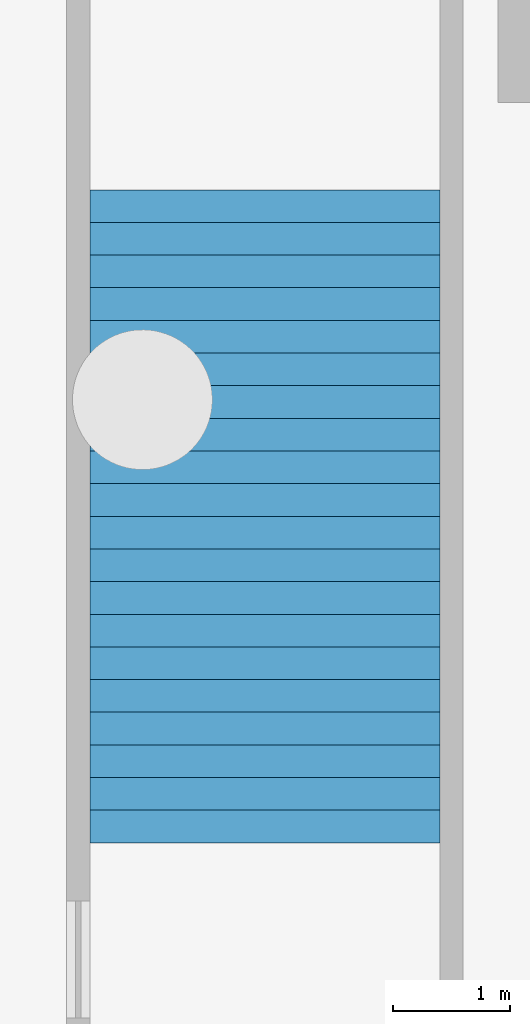
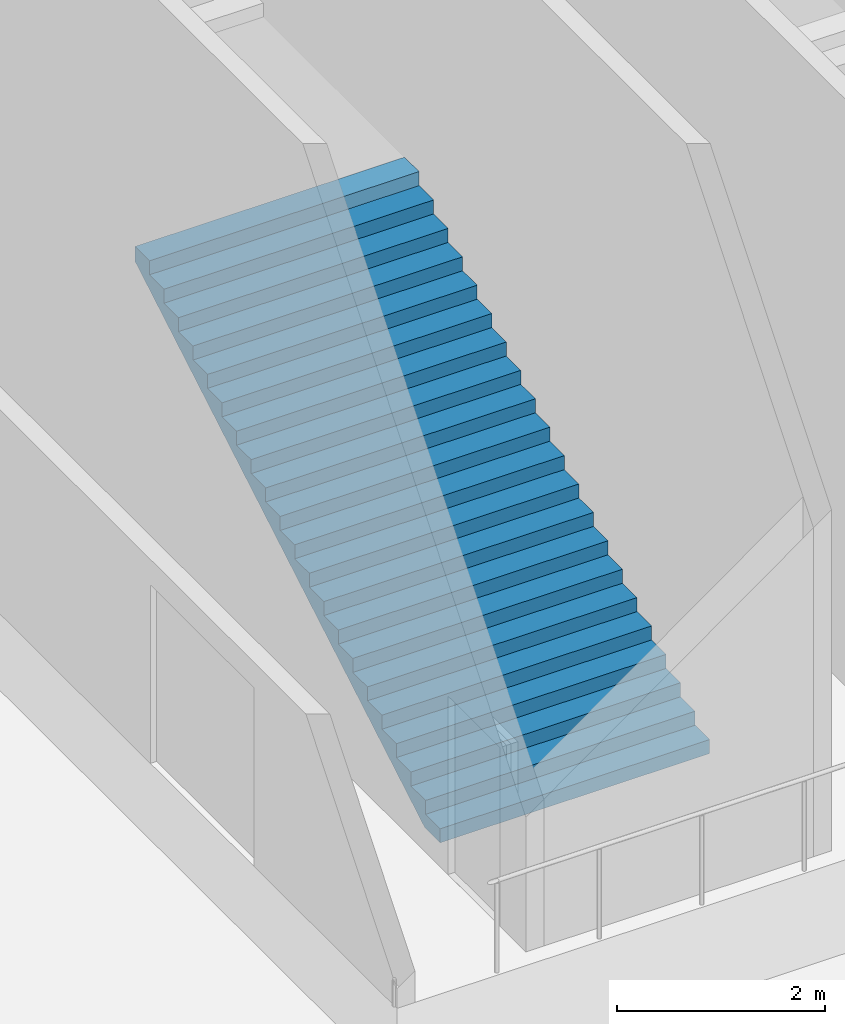
# One storey, part 7 of 16: 1 stair flight, 1 element without a shape of its own.
"""IFC4 building model written with IfcOpenShell, lengths in metres."""

import ifcopenshell
import ifcopenshell.guid

model = None  # the IFC model being written
_history = None  # IfcOwnerHistory: only IFC2X3 demands one
_inside = {}  # id of a spatial element -> (the spatial element, [elements in it])
_under = {}  # id of a project, library or spatial element -> (it, [spatial elements below it])
_declared = {}  # id of a project -> (the project, [libraries it declares])
_typed = {}  # id of a type object -> (the type object, [elements of that type])
_made_of = {}  # id of a material, layer set ... -> (it, [elements and type objects made of it])


def new_model(schema):
    """Start an empty IFC model of exactly this schema.

    Asked for "IFC4X3", IfcOpenShell would pick the latest addendum, in which some entities
    have other attributes; the version numbers below select the first issue.
    IFC2X3 requires an IfcOwnerHistory on every rooted entity: one is made here for all.
    """
    global model, _history
    if schema == "IFC4X3":
        model = ifcopenshell.file(schema_version=(4, 3, 0, 0))
    else:
        model = ifcopenshell.file(schema=schema)
    _inside.clear()
    _under.clear()
    _declared.clear()
    _typed.clear()
    _made_of.clear()
    _history = None
    if model.schema == "IFC2X3":
        org = make("IfcOrganization", Name="unknown")
        user = make(
            "IfcPersonAndOrganization",
            ThePerson=make("IfcPerson", FamilyName="unknown"),
            TheOrganization=org,
        )
        app = make(
            "IfcApplication",
            ApplicationDeveloper=org,
            Version="unknown",
            ApplicationFullName="unknown",
            ApplicationIdentifier="unknown",
        )
        _history = make(
            "IfcOwnerHistory",
            OwningUser=user,
            OwningApplication=app,
            ChangeAction="ADDED",
            CreationDate=0,
        )
    return model


def make(cls, **values):
    """One entity of the class cls with the attributes given. An attribute that is None is left unset."""
    return model.create_entity(
        cls, **{name: value for name, value in values.items() if value is not None}
    )


def rooted(cls, **values):
    """An entity with a GlobalId (a new one), such as an element, a storey or a relation."""
    return make(cls, GlobalId=ifcopenshell.guid.new(), OwnerHistory=_history, **values)


def si_unit(unit_type, name, prefix=None):
    """IfcSIUnit, for example si_unit("LENGTHUNIT", "METRE", prefix="MILLI")."""
    return make("IfcSIUnit", UnitType=unit_type, Prefix=prefix, Name=name)


def assignment(units):
    """IfcUnitAssignment: the units of a project."""
    return None if units is None else make("IfcUnitAssignment", Units=units)


def point(xyz):
    """IfcCartesianPoint."""
    return None if xyz is None else make("IfcCartesianPoint", Coordinates=xyz)


def direction(xyz):
    """IfcDirection."""
    return None if xyz is None else make("IfcDirection", DirectionRatios=xyz)


def frame(location, z_axis=None, x_axis=None):
    """IfcAxis2Placement3D, a coordinate frame: its origin and axes. An axis left out is left unset."""
    return make(
        "IfcAxis2Placement3D",
        Location=point(location),
        Axis=direction(z_axis),
        RefDirection=direction(x_axis),
    )


def origin():
    """The frame at (0, 0, 0) with its axes left unset."""
    return frame((0.0, 0.0, 0.0))


def place(relative_to, where):
    """IfcLocalPlacement: puts the frame where relative to a parent placement (None: the world)."""
    return make(
        "IfcLocalPlacement", PlacementRelTo=relative_to, RelativePlacement=where
    )


def context(
    kind, dimensions, precision=None, world=None, true_north=None, identifier=None
):
    """IfcGeometricRepresentationContext, for example the 3D "Model" context."""
    return make(
        "IfcGeometricRepresentationContext",
        ContextIdentifier=identifier,
        ContextType=kind,
        CoordinateSpaceDimension=dimensions,
        Precision=precision,
        WorldCoordinateSystem=world,
        TrueNorth=true_north,
    )


def subcontext(parent, identifier, kind, view, scale=None):
    """IfcGeometricRepresentationSubContext, for example "Body" below "Model"."""
    return make(
        "IfcGeometricRepresentationSubContext",
        ContextIdentifier=identifier,
        ContextType=kind,
        ParentContext=parent,
        TargetScale=scale,
        TargetView=view,
    )


def project(units=None, contexts=None):
    """IfcProject with its units and contexts."""
    return rooted(
        "IfcProject",
        Name="project",
        RepresentationContexts=contexts,
        UnitsInContext=assignment(units),
    )


def spatial(cls, under=None, at=None, **own):
    """A site, building, storey or space (cls), placed at a placement, below another one or the project."""
    s = rooted(cls, ObjectPlacement=at, **own)
    if under is not None:
        _under.setdefault(under.id(), (under, []))[1].append(s)
    return s


def faces_of(points, faces, orient=None, outer=None):
    """IfcFace entities. A face is a list of loops; a loop is a list of indices into points, from 0.

    orient and outer hold one flag for each loop. By default every Orientation is true, the
    first loop of a face is its IfcFaceOuterBound and the others are IfcFaceBound.
    """
    made = []
    for i, loops in enumerate(faces):
        bounds = []
        for j, loop in enumerate(loops):
            is_outer = j == 0 if outer is None else outer[i][j]
            bounds.append(
                make(
                    "IfcFaceOuterBound" if is_outer else "IfcFaceBound",
                    Bound=make("IfcPolyLoop", Polygon=[points[k] for k in loop]),
                    Orientation=True if orient is None else orient[i][j],
                )
            )
        made.append(make("IfcFace", Bounds=bounds))
    return made


def faceted_brep(points, faces, orient=None, outer=None, voids=None):
    """IfcFacetedBrep: a solid bounded by flat faces; with voids (closed shells), ...WithVoids."""
    shared = [point(p) for p in points]
    hull = make("IfcClosedShell", CfsFaces=faces_of(shared, faces, orient, outer))
    if voids is None:
        return make("IfcFacetedBrep", Outer=hull)
    return make(
        "IfcFacetedBrepWithVoids",
        Outer=hull,
        Voids=[
            make(cls, CfsFaces=faces_of(shared, fs, o, b)) for cls, fs, o, b in voids
        ],
    )


def shape(context_of_items, identifier, shape_type, items):
    """IfcShapeRepresentation: the items that make up one representation, for example the "Body"."""
    return make(
        "IfcShapeRepresentation",
        ContextOfItems=context_of_items,
        RepresentationIdentifier=identifier,
        RepresentationType=shape_type,
        Items=items,
    )


def material(Name=None, Category=None):
    """IfcMaterial."""
    return make("IfcMaterial", Name=Name, Category=Category)


def made_of(thing, what):
    """Note that an element or type object is made of a material, layer set ...; save() writes the relation."""
    if what is not None:
        _made_of.setdefault(what.id(), (what, []))[1].append(thing)
    return thing


def type_object(cls, material=None, **own):
    """A type object (cls), such as IfcWallType, which elements share."""
    return made_of(rooted(cls, **own), material)


def element(
    cls,
    number,
    at=None,
    inside=None,
    cuts=None,
    type_object=None,
    material=None,
    context=None,
    identifier="Body",
    shape_type=None,
    held_by="IfcProductDefinitionShape",
    body=None,
    shapes=None,
    **own,
):
    """One element of the class cls, such as IfcWall. Its Tag is "e" and its number.

    at: its placement. inside: the storey or other place that contains it. cuts: it is an
    opening in that element (IfcRelVoidsElement). A single representation is given by context,
    identifier, shape_type and body (its items); several are given by shapes. held_by: the class
    of the entity that holds the representations. save() writes the other relations.
    """
    e = rooted(cls, Tag="e%d" % number, ObjectPlacement=at, **own)
    if body is not None:
        shapes = [shape(context, identifier, shape_type, body)]
    if shapes is not None:
        e.Representation = make(held_by, Representations=shapes)
    if inside is not None:
        _inside.setdefault(inside.id(), (inside, []))[1].append(e)
    if cuts is not None:
        rooted(
            "IfcRelVoidsElement", RelatingBuildingElement=cuts, RelatedOpeningElement=e
        )
    if type_object is not None:
        _typed.setdefault(type_object.id(), (type_object, []))[1].append(e)
    return made_of(e, material)


def aggregate(whole, parts):
    """IfcRelAggregates: a whole, such as a stair, and the parts it consists of."""
    return rooted("IfcRelAggregates", RelatingObject=whole, RelatedObjects=parts)


def save(model, path):
    """Write the relations noted so far, then the file.

    IfcRelAggregates (storeys below a building ...), IfcRelContainedInSpatialStructure (elements
    in a storey), IfcRelDefinesByType, IfcRelAssociatesMaterial and IfcRelDeclares: one each for
    every whole, place, type object, material and project.
    """
    for whole, parts in _under.values():
        aggregate(whole, parts)
    for where, things in _inside.values():
        rooted(
            "IfcRelContainedInSpatialStructure",
            RelatedElements=things,
            RelatingStructure=where,
        )
    for kind, things in _typed.values():
        rooted("IfcRelDefinesByType", RelatedObjects=things, RelatingType=kind)
    for what, things in _made_of.values():
        rooted("IfcRelAssociatesMaterial", RelatedObjects=things, RelatingMaterial=what)
    for by, libraries in _declared.values():
        rooted("IfcRelDeclares", RelatingContext=by, RelatedDefinitions=libraries)
    model.write(path)


model = new_model("IFC4")

# Units and contexts
model_context = context("Model", 3, precision=1e-05, world=origin(), true_north=direction((0.0, 1.0)))
body_context = subcontext(model_context, "Body", "Model", "MODEL_VIEW")
ifc_project = project(units=[si_unit("LENGTHUNIT", "METRE"), si_unit("AREAUNIT", "SQUARE_METRE"), si_unit("VOLUMEUNIT", "CUBIC_METRE"), si_unit("PLANEANGLEUNIT", "RADIAN"), si_unit("MASSUNIT", "GRAM", prefix="KILO")], contexts=[model_context])

# Site, building, storey
site_placement = place(None, origin())
site = spatial("IfcSite", under=ifc_project, at=site_placement, CompositionType="ELEMENT")
building_placement = place(site_placement, origin())
building = spatial("IfcBuilding", under=site, at=building_placement, Name="Ogive Plaza Stadium", CompositionType="ELEMENT")
storey_placement = place(building_placement, frame((0.0, 0.0, -11.39990234375)))
storey = spatial("IfcBuildingStorey", under=building, at=storey_placement, Name="B2", CompositionType="ELEMENT", Elevation=-11.39990234375)

# Stair, stair flight
ifc_material_1 = material(Name="Concrete C40/50", Category="concrete")
stair_type = type_object("IfcStairType", Name="Station stair 3000", PredefinedType="TWO_STRAIGHT_RUN_STAIR", material=ifc_material_1)
stair_placement = place(storey_placement, origin())
stair = element("IfcStair", 1, at=stair_placement, inside=storey, type_object=stair_type, Name="Stair PS1", PredefinedType="TWO_STRAIGHT_RUN_STAIR")
ifc_material_2 = material(Name="Concrete C40/50", Category="concrete")
stair_flight_type = type_object("IfcStairFlightType", Name="Station stair flight 3000", PredefinedType="STRAIGHT", material=ifc_material_2)
stair_flight_placement = place(storey_placement, frame((105.050048828125, -42.800048828125, 0.0), z_axis=(0.0, 0.0, 1.0), x_axis=(0.0, 1.0, 0.0)))
stair_flight = element("IfcStairFlight", 2, at=stair_flight_placement, type_object=stair_flight_type, Name="PS1 flight 1", NumberOfRisers=21, NumberOfTreads=20, PredefinedType="STRAIGHT", RiserHeight=0.164285714, TreadLength=0.28, context=body_context, shape_type="Brep", body=[
    faceted_brep([(0.296142578125, -1.5, 0.0), (5.8798828125, -1.5, 3.276123046875), (5.8798828125, -1.5, 3.449951171875), (5.60009765625, -1.5, 3.449951171875), (5.60009765625, -1.5, 3.28564453125), (5.320068359375, -1.5, 3.28564453125), (5.320068359375, -1.5, 3.121337890625), (5.0400390625, -1.5, 3.121337890625), (5.0400390625, -1.5, 2.95703125), (4.760009765625, -1.5, 2.95703125), (4.760009765625, -1.5, 2.79296875), (4.47998046875, -1.5, 2.79296875), (4.47998046875, -1.5, 2.628662109375), (4.199951171875, -1.5, 2.628662109375), (4.199951171875, -1.5, 2.46435546875), (3.919921875, -1.5, 2.46435546875), (3.919921875, -1.5, 2.300048828125), (3.639892578125, -1.5, 2.300048828125), (3.639892578125, -1.5, 2.1357421875), (3.360107421875, -1.5, 2.1357421875), (3.360107421875, -1.5, 1.971435546875), (3.080078125, -1.5, 1.971435546875), (3.080078125, -1.5, 1.80712890625), (2.800048828125, -1.5, 1.80712890625), (2.800048828125, -1.5, 1.642822265625), (2.52001953125, -1.5, 1.642822265625), (2.52001953125, -1.5, 1.478515625), (2.239990234375, -1.5, 1.478515625), (2.239990234375, -1.5, 1.314208984375), (1.9599609375, -1.5, 1.314208984375), (1.9599609375, -1.5, 1.14990234375), (1.679931640625, -1.5, 1.14990234375), (1.679931640625, -1.5, 0.985595703125), (1.39990234375, -1.5, 0.985595703125), (1.39990234375, -1.5, 0.821533203125), (1.1201171875, -1.5, 0.821533203125), (1.1201171875, -1.5, 0.6572265625), (0.840087890625, -1.5, 0.6572265625), (0.840087890625, -1.5, 0.492919921875), (0.56005859375, -1.5, 0.492919921875), (0.56005859375, -1.5, 0.32861328125), (0.280029296875, -1.5, 0.32861328125), (0.280029296875, -1.5, 0.164306640625), (0.0, -1.5, 0.164306640625), (0.0, -1.5, 0.0), (0.0, 1.5, 0.0), (0.0, 1.5, 0.164306640625), (0.280029296875, 1.5, 0.164306640625), (0.280029296875, 1.5, 0.32861328125), (0.56005859375, 1.5, 0.32861328125), (0.56005859375, 1.5, 0.492919921875), (0.840087890625, 1.5, 0.492919921875), (0.840087890625, 1.5, 0.6572265625), (1.1201171875, 1.5, 0.6572265625), (1.1201171875, 1.5, 0.821533203125), (1.39990234375, 1.5, 0.821533203125), (1.39990234375, 1.5, 0.985595703125), (1.679931640625, 1.5, 0.985595703125), (1.679931640625, 1.5, 1.14990234375), (1.9599609375, 1.5, 1.14990234375), (1.9599609375, 1.5, 1.314208984375), (2.239990234375, 1.5, 1.314208984375), (2.239990234375, 1.5, 1.478515625), (2.52001953125, 1.5, 1.478515625), (2.52001953125, 1.5, 1.642822265625), (2.800048828125, 1.5, 1.642822265625), (2.800048828125, 1.5, 1.80712890625), (3.080078125, 1.5, 1.80712890625), (3.080078125, 1.5, 1.971435546875), (3.360107421875, 1.5, 1.971435546875), (3.360107421875, 1.5, 2.1357421875), (3.639892578125, 1.5, 2.1357421875), (3.639892578125, 1.5, 2.300048828125), (3.919921875, 1.5, 2.300048828125), (3.919921875, 1.5, 2.46435546875), (4.199951171875, 1.5, 2.46435546875), (4.199951171875, 1.5, 2.628662109375), (4.47998046875, 1.5, 2.628662109375), (4.47998046875, 1.5, 2.79296875), (4.760009765625, 1.5, 2.79296875), (4.760009765625, 1.5, 2.95703125), (5.0400390625, 1.5, 2.95703125), (5.0400390625, 1.5, 3.121337890625), (5.320068359375, 1.5, 3.121337890625), (5.320068359375, 1.5, 3.28564453125), (5.60009765625, 1.5, 3.28564453125), (5.60009765625, 1.5, 3.449951171875), (5.8798828125, 1.5, 3.449951171875), (5.8798828125, 1.5, 3.276123046875), (0.296142578125, 1.5, 0.0), (0.296142578125, -1.166748046875, 0.0), (5.8798828125, -1.166748046875, 3.276123046875), (0.296142578125, -0.833251953125, 0.0), (5.8798828125, -0.833251953125, 3.276123046875), (0.296142578125, -0.5, 0.0), (5.8798828125, -0.5, 3.276123046875), (0.296142578125, -0.166748046875, 0.0), (5.8798828125, -0.166748046875, 3.276123046875), (0.296142578125, 0.166748046875, 0.0), (5.8798828125, 0.166748046875, 3.276123046875), (0.296142578125, 0.5, 0.0), (5.8798828125, 0.5, 3.276123046875), (0.296142578125, 0.833251953125, 0.0), (5.8798828125, 0.833251953125, 3.276123046875), (0.296142578125, 1.166748046875, 0.0), (5.8798828125, 1.166748046875, 3.276123046875), (5.8798828125, -1.166748046875, 3.449951171875), (5.8798828125, -0.833251953125, 3.449951171875), (5.8798828125, -0.5, 3.449951171875), (5.8798828125, -0.166748046875, 3.449951171875), (5.8798828125, 0.166748046875, 3.449951171875), (5.8798828125, 0.5, 3.449951171875), (5.8798828125, 0.833251953125, 3.449951171875), (5.8798828125, 1.166748046875, 3.449951171875), (5.60009765625, -1.166748046875, 3.449951171875), (5.60009765625, -0.833251953125, 3.449951171875), (5.60009765625, -0.5, 3.449951171875), (5.60009765625, -0.166748046875, 3.449951171875), (5.60009765625, 0.166748046875, 3.449951171875), (5.60009765625, 0.5, 3.449951171875), (5.60009765625, 0.833251953125, 3.449951171875), (5.60009765625, 1.166748046875, 3.449951171875), (5.60009765625, -1.166748046875, 3.28564453125), (5.60009765625, -0.833251953125, 3.28564453125), (5.60009765625, -0.5, 3.28564453125), (5.60009765625, -0.166748046875, 3.28564453125), (5.60009765625, 0.166748046875, 3.28564453125), (5.60009765625, 0.5, 3.28564453125), (5.60009765625, 0.833251953125, 3.28564453125), (5.60009765625, 1.166748046875, 3.28564453125), (5.320068359375, -1.166748046875, 3.28564453125), (5.320068359375, -0.833251953125, 3.28564453125), (5.320068359375, -0.5, 3.28564453125), (5.320068359375, -0.166748046875, 3.28564453125), (5.320068359375, 0.166748046875, 3.28564453125), (5.320068359375, 0.5, 3.28564453125), (5.320068359375, 0.833251953125, 3.28564453125), (5.320068359375, 1.166748046875, 3.28564453125), (5.320068359375, -1.166748046875, 3.121337890625), (5.320068359375, -0.833251953125, 3.121337890625), (5.320068359375, -0.5, 3.121337890625), (5.320068359375, -0.166748046875, 3.121337890625), (5.320068359375, 0.166748046875, 3.121337890625), (5.320068359375, 0.5, 3.121337890625), (5.320068359375, 0.833251953125, 3.121337890625), (5.320068359375, 1.166748046875, 3.121337890625), (5.0400390625, -1.166748046875, 3.121337890625), (5.0400390625, -0.833251953125, 3.121337890625), (5.0400390625, -0.5, 3.121337890625), (5.0400390625, -0.166748046875, 3.121337890625), (5.0400390625, 0.166748046875, 3.121337890625), (5.0400390625, 0.5, 3.121337890625), (5.0400390625, 0.833251953125, 3.121337890625), (5.0400390625, 1.166748046875, 3.121337890625), (5.0400390625, -1.166748046875, 2.95703125), (5.0400390625, -0.833251953125, 2.95703125), (5.0400390625, -0.5, 2.95703125), (5.0400390625, -0.166748046875, 2.95703125), (5.0400390625, 0.166748046875, 2.95703125), (5.0400390625, 0.5, 2.95703125), (5.0400390625, 0.833251953125, 2.95703125), (5.0400390625, 1.166748046875, 2.95703125), (4.760009765625, -1.166748046875, 2.95703125), (4.760009765625, -0.833251953125, 2.95703125), (4.760009765625, -0.5, 2.95703125), (4.760009765625, -0.166748046875, 2.95703125), (4.760009765625, 0.166748046875, 2.95703125), (4.760009765625, 0.5, 2.95703125), (4.760009765625, 0.833251953125, 2.95703125), (4.760009765625, 1.166748046875, 2.95703125), (4.760009765625, -1.166748046875, 2.79296875), (4.760009765625, -0.833251953125, 2.79296875), (4.760009765625, -0.5, 2.79296875), (4.760009765625, -0.166748046875, 2.79296875), (4.760009765625, 0.166748046875, 2.79296875), (4.760009765625, 0.5, 2.79296875), (4.760009765625, 0.833251953125, 2.79296875), (4.760009765625, 1.166748046875, 2.79296875), (4.47998046875, -1.166748046875, 2.79296875), (4.47998046875, -0.833251953125, 2.79296875), (4.47998046875, -0.5, 2.79296875), (4.47998046875, -0.166748046875, 2.79296875), (4.47998046875, 0.166748046875, 2.79296875), (4.47998046875, 0.5, 2.79296875), (4.47998046875, 0.833251953125, 2.79296875), (4.47998046875, 1.166748046875, 2.79296875), (4.47998046875, -1.166748046875, 2.628662109375), (4.47998046875, -0.833251953125, 2.628662109375), (4.47998046875, -0.5, 2.628662109375), (4.47998046875, -0.166748046875, 2.628662109375), (4.47998046875, 0.166748046875, 2.628662109375), (4.47998046875, 0.5, 2.628662109375), (4.47998046875, 0.833251953125, 2.628662109375), (4.47998046875, 1.166748046875, 2.628662109375), (4.199951171875, -1.166748046875, 2.628662109375), (4.199951171875, -0.833251953125, 2.628662109375), (4.199951171875, -0.5, 2.628662109375), (4.199951171875, -0.166748046875, 2.628662109375), (4.199951171875, 0.166748046875, 2.628662109375), (4.199951171875, 0.5, 2.628662109375), (4.199951171875, 0.833251953125, 2.628662109375), (4.199951171875, 1.166748046875, 2.628662109375), (4.199951171875, -1.166748046875, 2.46435546875), (4.199951171875, -0.833251953125, 2.46435546875), (4.199951171875, -0.5, 2.46435546875), (4.199951171875, -0.166748046875, 2.46435546875), (4.199951171875, 0.166748046875, 2.46435546875), (4.199951171875, 0.5, 2.46435546875), (4.199951171875, 0.833251953125, 2.46435546875), (4.199951171875, 1.166748046875, 2.46435546875), (3.919921875, -1.166748046875, 2.46435546875), (3.919921875, -0.833251953125, 2.46435546875), (3.919921875, -0.5, 2.46435546875), (3.919921875, -0.166748046875, 2.46435546875), (3.919921875, 0.166748046875, 2.46435546875), (3.919921875, 0.5, 2.46435546875), (3.919921875, 0.833251953125, 2.46435546875), (3.919921875, 1.166748046875, 2.46435546875), (3.919921875, -1.166748046875, 2.300048828125), (3.919921875, -0.833251953125, 2.300048828125), (3.919921875, -0.5, 2.300048828125), (3.919921875, -0.166748046875, 2.300048828125), (3.919921875, 0.166748046875, 2.300048828125), (3.919921875, 0.5, 2.300048828125), (3.919921875, 0.833251953125, 2.300048828125), (3.919921875, 1.166748046875, 2.300048828125), (3.639892578125, -1.166748046875, 2.300048828125), (3.639892578125, -0.833251953125, 2.300048828125), (3.639892578125, -0.5, 2.300048828125), (3.639892578125, -0.166748046875, 2.300048828125), (3.639892578125, 0.166748046875, 2.300048828125), (3.639892578125, 0.5, 2.300048828125), (3.639892578125, 0.833251953125, 2.300048828125), (3.639892578125, 1.166748046875, 2.300048828125), (3.639892578125, -1.166748046875, 2.1357421875), (3.639892578125, -0.833251953125, 2.1357421875), (3.639892578125, -0.5, 2.1357421875), (3.639892578125, -0.166748046875, 2.1357421875), (3.639892578125, 0.166748046875, 2.1357421875), (3.639892578125, 0.5, 2.1357421875), (3.639892578125, 0.833251953125, 2.1357421875), (3.639892578125, 1.166748046875, 2.1357421875), (3.360107421875, -1.166748046875, 2.1357421875), (3.360107421875, -0.833251953125, 2.1357421875), (3.360107421875, -0.5, 2.1357421875), (3.360107421875, -0.166748046875, 2.1357421875), (3.360107421875, 0.166748046875, 2.1357421875), (3.360107421875, 0.5, 2.1357421875), (3.360107421875, 0.833251953125, 2.1357421875), (3.360107421875, 1.166748046875, 2.1357421875), (3.360107421875, -1.166748046875, 1.971435546875), (3.360107421875, -0.833251953125, 1.971435546875), (3.360107421875, -0.5, 1.971435546875), (3.360107421875, -0.166748046875, 1.971435546875), (3.360107421875, 0.166748046875, 1.971435546875), (3.360107421875, 0.5, 1.971435546875), (3.360107421875, 0.833251953125, 1.971435546875), (3.360107421875, 1.166748046875, 1.971435546875), (3.080078125, -1.166748046875, 1.971435546875), (3.080078125, -0.833251953125, 1.971435546875), (3.080078125, -0.5, 1.971435546875), (3.080078125, -0.166748046875, 1.971435546875), (3.080078125, 0.166748046875, 1.971435546875), (3.080078125, 0.5, 1.971435546875), (3.080078125, 0.833251953125, 1.971435546875), (3.080078125, 1.166748046875, 1.971435546875), (3.080078125, -1.166748046875, 1.80712890625), (3.080078125, -0.833251953125, 1.80712890625), (3.080078125, -0.5, 1.80712890625), (3.080078125, -0.166748046875, 1.80712890625), (3.080078125, 0.166748046875, 1.80712890625), (3.080078125, 0.5, 1.80712890625), (3.080078125, 0.833251953125, 1.80712890625), (3.080078125, 1.166748046875, 1.80712890625), (2.800048828125, -1.166748046875, 1.80712890625), (2.800048828125, -0.833251953125, 1.80712890625), (2.800048828125, -0.5, 1.80712890625), (2.800048828125, -0.166748046875, 1.80712890625), (2.800048828125, 0.166748046875, 1.80712890625), (2.800048828125, 0.5, 1.80712890625), (2.800048828125, 0.833251953125, 1.80712890625), (2.800048828125, 1.166748046875, 1.80712890625), (2.800048828125, -1.166748046875, 1.642822265625), (2.800048828125, -0.833251953125, 1.642822265625), (2.800048828125, -0.5, 1.642822265625), (2.800048828125, -0.166748046875, 1.642822265625), (2.800048828125, 0.166748046875, 1.642822265625), (2.800048828125, 0.5, 1.642822265625), (2.800048828125, 0.833251953125, 1.642822265625), (2.800048828125, 1.166748046875, 1.642822265625), (2.52001953125, -1.166748046875, 1.642822265625), (2.52001953125, -0.833251953125, 1.642822265625), (2.52001953125, -0.5, 1.642822265625), (2.52001953125, -0.166748046875, 1.642822265625), (2.52001953125, 0.166748046875, 1.642822265625), (2.52001953125, 0.5, 1.642822265625), (2.52001953125, 0.833251953125, 1.642822265625), (2.52001953125, 1.166748046875, 1.642822265625), (2.52001953125, -1.166748046875, 1.478515625), (2.52001953125, -0.833251953125, 1.478515625), (2.52001953125, -0.5, 1.478515625), (2.52001953125, -0.166748046875, 1.478515625), (2.52001953125, 0.166748046875, 1.478515625), (2.52001953125, 0.5, 1.478515625), (2.52001953125, 0.833251953125, 1.478515625), (2.52001953125, 1.166748046875, 1.478515625), (2.239990234375, -1.166748046875, 1.478515625), (2.239990234375, -0.833251953125, 1.478515625), (2.239990234375, -0.5, 1.478515625), (2.239990234375, -0.166748046875, 1.478515625), (2.239990234375, 0.166748046875, 1.478515625), (2.239990234375, 0.5, 1.478515625), (2.239990234375, 0.833251953125, 1.478515625), (2.239990234375, 1.166748046875, 1.478515625), (2.239990234375, -1.166748046875, 1.314208984375), (2.239990234375, -0.833251953125, 1.314208984375), (2.239990234375, -0.5, 1.314208984375), (2.239990234375, -0.166748046875, 1.314208984375), (2.239990234375, 0.166748046875, 1.314208984375), (2.239990234375, 0.5, 1.314208984375), (2.239990234375, 0.833251953125, 1.314208984375), (2.239990234375, 1.166748046875, 1.314208984375), (1.9599609375, -1.166748046875, 1.314208984375), (1.9599609375, -0.833251953125, 1.314208984375), (1.9599609375, -0.5, 1.314208984375), (1.9599609375, -0.166748046875, 1.314208984375), (1.9599609375, 0.166748046875, 1.314208984375), (1.9599609375, 0.5, 1.314208984375), (1.9599609375, 0.833251953125, 1.314208984375), (1.9599609375, 1.166748046875, 1.314208984375), (1.9599609375, -1.166748046875, 1.14990234375), (1.9599609375, -0.833251953125, 1.14990234375), (1.9599609375, -0.5, 1.14990234375), (1.9599609375, -0.166748046875, 1.14990234375), (1.9599609375, 0.166748046875, 1.14990234375), (1.9599609375, 0.5, 1.14990234375), (1.9599609375, 0.833251953125, 1.14990234375), (1.9599609375, 1.166748046875, 1.14990234375), (1.679931640625, -1.166748046875, 1.14990234375), (1.679931640625, -0.833251953125, 1.14990234375), (1.679931640625, -0.5, 1.14990234375), (1.679931640625, -0.166748046875, 1.14990234375), (1.679931640625, 0.166748046875, 1.14990234375), (1.679931640625, 0.5, 1.14990234375), (1.679931640625, 0.833251953125, 1.14990234375), (1.679931640625, 1.166748046875, 1.14990234375), (1.679931640625, -1.166748046875, 0.985595703125), (1.679931640625, -0.833251953125, 0.985595703125), (1.679931640625, -0.5, 0.985595703125), (1.679931640625, -0.166748046875, 0.985595703125), (1.679931640625, 0.166748046875, 0.985595703125), (1.679931640625, 0.5, 0.985595703125), (1.679931640625, 0.833251953125, 0.985595703125), (1.679931640625, 1.166748046875, 0.985595703125), (1.39990234375, -1.166748046875, 0.985595703125), (1.39990234375, -0.833251953125, 0.985595703125), (1.39990234375, -0.5, 0.985595703125), (1.39990234375, -0.166748046875, 0.985595703125), (1.39990234375, 0.166748046875, 0.985595703125), (1.39990234375, 0.5, 0.985595703125), (1.39990234375, 0.833251953125, 0.985595703125), (1.39990234375, 1.166748046875, 0.985595703125), (1.39990234375, -1.166748046875, 0.821533203125), (1.39990234375, -0.833251953125, 0.821533203125), (1.39990234375, -0.5, 0.821533203125), (1.39990234375, -0.166748046875, 0.821533203125), (1.39990234375, 0.166748046875, 0.821533203125), (1.39990234375, 0.5, 0.821533203125), (1.39990234375, 0.833251953125, 0.821533203125), (1.39990234375, 1.166748046875, 0.821533203125), (1.1201171875, -1.166748046875, 0.821533203125), (1.1201171875, -0.833251953125, 0.821533203125), (1.1201171875, -0.5, 0.821533203125), (1.1201171875, -0.166748046875, 0.821533203125), (1.1201171875, 0.166748046875, 0.821533203125), (1.1201171875, 0.5, 0.821533203125), (1.1201171875, 0.833251953125, 0.821533203125), (1.1201171875, 1.166748046875, 0.821533203125), (1.1201171875, -1.166748046875, 0.6572265625), (1.1201171875, -0.833251953125, 0.6572265625), (1.1201171875, -0.5, 0.6572265625), (1.1201171875, -0.166748046875, 0.6572265625), (1.1201171875, 0.166748046875, 0.6572265625), (1.1201171875, 0.5, 0.6572265625), (1.1201171875, 0.833251953125, 0.6572265625), (1.1201171875, 1.166748046875, 0.6572265625), (0.840087890625, -1.166748046875, 0.6572265625), (0.840087890625, -0.833251953125, 0.6572265625), (0.840087890625, -0.5, 0.6572265625), (0.840087890625, -0.166748046875, 0.6572265625), (0.840087890625, 0.166748046875, 0.6572265625), (0.840087890625, 0.5, 0.6572265625), (0.840087890625, 0.833251953125, 0.6572265625), (0.840087890625, 1.166748046875, 0.6572265625), (0.840087890625, -1.166748046875, 0.492919921875), (0.840087890625, -0.833251953125, 0.492919921875), (0.840087890625, -0.5, 0.492919921875), (0.840087890625, -0.166748046875, 0.492919921875), (0.840087890625, 0.166748046875, 0.492919921875), (0.840087890625, 0.5, 0.492919921875), (0.840087890625, 0.833251953125, 0.492919921875), (0.840087890625, 1.166748046875, 0.492919921875), (0.56005859375, -1.166748046875, 0.492919921875), (0.56005859375, -0.833251953125, 0.492919921875), (0.56005859375, -0.5, 0.492919921875), (0.56005859375, -0.166748046875, 0.492919921875), (0.56005859375, 0.166748046875, 0.492919921875), (0.56005859375, 0.5, 0.492919921875), (0.56005859375, 0.833251953125, 0.492919921875), (0.56005859375, 1.166748046875, 0.492919921875), (0.56005859375, -1.166748046875, 0.32861328125), (0.56005859375, -0.833251953125, 0.32861328125), (0.56005859375, -0.5, 0.32861328125), (0.56005859375, -0.166748046875, 0.32861328125), (0.56005859375, 0.166748046875, 0.32861328125), (0.56005859375, 0.5, 0.32861328125), (0.56005859375, 0.833251953125, 0.32861328125), (0.56005859375, 1.166748046875, 0.32861328125), (0.280029296875, -1.166748046875, 0.32861328125), (0.280029296875, -0.833251953125, 0.32861328125), (0.280029296875, -0.5, 0.32861328125), (0.280029296875, -0.166748046875, 0.32861328125), (0.280029296875, 0.166748046875, 0.32861328125), (0.280029296875, 0.5, 0.32861328125), (0.280029296875, 0.833251953125, 0.32861328125), (0.280029296875, 1.166748046875, 0.32861328125), (0.280029296875, -1.166748046875, 0.164306640625), (0.280029296875, -0.833251953125, 0.164306640625), (0.280029296875, -0.5, 0.164306640625), (0.280029296875, -0.166748046875, 0.164306640625), (0.280029296875, 0.166748046875, 0.164306640625), (0.280029296875, 0.5, 0.164306640625), (0.280029296875, 0.833251953125, 0.164306640625), (0.280029296875, 1.166748046875, 0.164306640625), (0.0, -1.166748046875, 0.164306640625), (0.0, -0.833251953125, 0.164306640625), (0.0, -0.5, 0.164306640625), (0.0, -0.166748046875, 0.164306640625), (0.0, 0.166748046875, 0.164306640625), (0.0, 0.5, 0.164306640625), (0.0, 0.833251953125, 0.164306640625), (0.0, 1.166748046875, 0.164306640625), (0.0, -1.166748046875, 0.0), (0.0, -0.833251953125, 0.0), (0.0, -0.5, 0.0), (0.0, -0.166748046875, 0.0), (0.0, 0.166748046875, 0.0), (0.0, 0.5, 0.0), (0.0, 0.833251953125, 0.0), (0.0, 1.166748046875, 0.0)], [[[0, 1, 2, 3, 4, 5, 6, 7, 8, 9, 10, 11, 12, 13, 14, 15, 16, 17, 18, 19, 20, 21, 22, 23, 24, 25, 26, 27, 28, 29, 30, 31, 32, 33, 34, 35, 36, 37, 38, 39, 40, 41, 42, 43, 44]], [[45, 46, 47, 48, 49, 50, 51, 52, 53, 54, 55, 56, 57, 58, 59, 60, 61, 62, 63, 64, 65, 66, 67, 68, 69, 70, 71, 72, 73, 74, 75, 76, 77, 78, 79, 80, 81, 82, 83, 84, 85, 86, 87, 88, 89]], [[0, 90, 91, 1]], [[90, 92, 93, 91]], [[92, 94, 95, 93]], [[94, 96, 97, 95]], [[96, 98, 99, 97]], [[98, 100, 101, 99]], [[100, 102, 103, 101]], [[102, 104, 105, 103]], [[104, 89, 88, 105]], [[1, 91, 106, 2]], [[91, 93, 107, 106]], [[93, 95, 108, 107]], [[95, 97, 109, 108]], [[97, 99, 110, 109]], [[99, 101, 111, 110]], [[101, 103, 112, 111]], [[103, 105, 113, 112]], [[105, 88, 87, 113]], [[2, 106, 114, 3]], [[106, 107, 115, 114]], [[107, 108, 116, 115]], [[108, 109, 117, 116]], [[109, 110, 118, 117]], [[110, 111, 119, 118]], [[111, 112, 120, 119]], [[112, 113, 121, 120]], [[113, 87, 86, 121]], [[3, 114, 122, 4]], [[114, 115, 123, 122]], [[115, 116, 124, 123]], [[116, 117, 125, 124]], [[117, 118, 126, 125]], [[118, 119, 127, 126]], [[119, 120, 128, 127]], [[120, 121, 129, 128]], [[121, 86, 85, 129]], [[4, 122, 130, 5]], [[122, 123, 131, 130]], [[123, 124, 132, 131]], [[124, 125, 133, 132]], [[125, 126, 134, 133]], [[126, 127, 135, 134]], [[127, 128, 136, 135]], [[128, 129, 137, 136]], [[129, 85, 84, 137]], [[5, 130, 138, 6]], [[130, 131, 139, 138]], [[131, 132, 140, 139]], [[132, 133, 141, 140]], [[133, 134, 142, 141]], [[134, 135, 143, 142]], [[135, 136, 144, 143]], [[136, 137, 145, 144]], [[137, 84, 83, 145]], [[6, 138, 146, 7]], [[138, 139, 147, 146]], [[139, 140, 148, 147]], [[140, 141, 149, 148]], [[141, 142, 150, 149]], [[142, 143, 151, 150]], [[143, 144, 152, 151]], [[144, 145, 153, 152]], [[145, 83, 82, 153]], [[7, 146, 154, 8]], [[146, 147, 155, 154]], [[147, 148, 156, 155]], [[148, 149, 157, 156]], [[149, 150, 158, 157]], [[150, 151, 159, 158]], [[151, 152, 160, 159]], [[152, 153, 161, 160]], [[153, 82, 81, 161]], [[8, 154, 162, 9]], [[154, 155, 163, 162]], [[155, 156, 164, 163]], [[156, 157, 165, 164]], [[157, 158, 166, 165]], [[158, 159, 167, 166]], [[159, 160, 168, 167]], [[160, 161, 169, 168]], [[161, 81, 80, 169]], [[9, 162, 170, 10]], [[162, 163, 171, 170]], [[163, 164, 172, 171]], [[164, 165, 173, 172]], [[165, 166, 174, 173]], [[166, 167, 175, 174]], [[167, 168, 176, 175]], [[168, 169, 177, 176]], [[169, 80, 79, 177]], [[10, 170, 178, 11]], [[170, 171, 179, 178]], [[171, 172, 180, 179]], [[172, 173, 181, 180]], [[173, 174, 182, 181]], [[174, 175, 183, 182]], [[175, 176, 184, 183]], [[176, 177, 185, 184]], [[177, 79, 78, 185]], [[11, 178, 186, 12]], [[178, 179, 187, 186]], [[179, 180, 188, 187]], [[180, 181, 189, 188]], [[181, 182, 190, 189]], [[182, 183, 191, 190]], [[183, 184, 192, 191]], [[184, 185, 193, 192]], [[185, 78, 77, 193]], [[12, 186, 194, 13]], [[186, 187, 195, 194]], [[187, 188, 196, 195]], [[188, 189, 197, 196]], [[189, 190, 198, 197]], [[190, 191, 199, 198]], [[191, 192, 200, 199]], [[192, 193, 201, 200]], [[193, 77, 76, 201]], [[13, 194, 202, 14]], [[194, 195, 203, 202]], [[195, 196, 204, 203]], [[196, 197, 205, 204]], [[197, 198, 206, 205]], [[198, 199, 207, 206]], [[199, 200, 208, 207]], [[200, 201, 209, 208]], [[201, 76, 75, 209]], [[14, 202, 210, 15]], [[202, 203, 211, 210]], [[203, 204, 212, 211]], [[204, 205, 213, 212]], [[205, 206, 214, 213]], [[206, 207, 215, 214]], [[207, 208, 216, 215]], [[208, 209, 217, 216]], [[209, 75, 74, 217]], [[15, 210, 218, 16]], [[210, 211, 219, 218]], [[211, 212, 220, 219]], [[212, 213, 221, 220]], [[213, 214, 222, 221]], [[214, 215, 223, 222]], [[215, 216, 224, 223]], [[216, 217, 225, 224]], [[217, 74, 73, 225]], [[16, 218, 226, 17]], [[218, 219, 227, 226]], [[219, 220, 228, 227]], [[220, 221, 229, 228]], [[221, 222, 230, 229]], [[222, 223, 231, 230]], [[223, 224, 232, 231]], [[224, 225, 233, 232]], [[225, 73, 72, 233]], [[17, 226, 234, 18]], [[226, 227, 235, 234]], [[227, 228, 236, 235]], [[228, 229, 237, 236]], [[229, 230, 238, 237]], [[230, 231, 239, 238]], [[231, 232, 240, 239]], [[232, 233, 241, 240]], [[233, 72, 71, 241]], [[18, 234, 242, 19]], [[234, 235, 243, 242]], [[235, 236, 244, 243]], [[236, 237, 245, 244]], [[237, 238, 246, 245]], [[238, 239, 247, 246]], [[239, 240, 248, 247]], [[240, 241, 249, 248]], [[241, 71, 70, 249]], [[19, 242, 250, 20]], [[242, 243, 251, 250]], [[243, 244, 252, 251]], [[244, 245, 253, 252]], [[245, 246, 254, 253]], [[246, 247, 255, 254]], [[247, 248, 256, 255]], [[248, 249, 257, 256]], [[249, 70, 69, 257]], [[20, 250, 258, 21]], [[250, 251, 259, 258]], [[251, 252, 260, 259]], [[252, 253, 261, 260]], [[253, 254, 262, 261]], [[254, 255, 263, 262]], [[255, 256, 264, 263]], [[256, 257, 265, 264]], [[257, 69, 68, 265]], [[21, 258, 266, 22]], [[258, 259, 267, 266]], [[259, 260, 268, 267]], [[260, 261, 269, 268]], [[261, 262, 270, 269]], [[262, 263, 271, 270]], [[263, 264, 272, 271]], [[264, 265, 273, 272]], [[265, 68, 67, 273]], [[22, 266, 274, 23]], [[266, 267, 275, 274]], [[267, 268, 276, 275]], [[268, 269, 277, 276]], [[269, 270, 278, 277]], [[270, 271, 279, 278]], [[271, 272, 280, 279]], [[272, 273, 281, 280]], [[273, 67, 66, 281]], [[23, 274, 282, 24]], [[274, 275, 283, 282]], [[275, 276, 284, 283]], [[276, 277, 285, 284]], [[277, 278, 286, 285]], [[278, 279, 287, 286]], [[279, 280, 288, 287]], [[280, 281, 289, 288]], [[281, 66, 65, 289]], [[24, 282, 290, 25]], [[282, 283, 291, 290]], [[283, 284, 292, 291]], [[284, 285, 293, 292]], [[285, 286, 294, 293]], [[286, 287, 295, 294]], [[287, 288, 296, 295]], [[288, 289, 297, 296]], [[289, 65, 64, 297]], [[25, 290, 298, 26]], [[290, 291, 299, 298]], [[291, 292, 300, 299]], [[292, 293, 301, 300]], [[293, 294, 302, 301]], [[294, 295, 303, 302]], [[295, 296, 304, 303]], [[296, 297, 305, 304]], [[297, 64, 63, 305]], [[26, 298, 306, 27]], [[298, 299, 307, 306]], [[299, 300, 308, 307]], [[300, 301, 309, 308]], [[301, 302, 310, 309]], [[302, 303, 311, 310]], [[303, 304, 312, 311]], [[304, 305, 313, 312]], [[305, 63, 62, 313]], [[27, 306, 314, 28]], [[306, 307, 315, 314]], [[307, 308, 316, 315]], [[308, 309, 317, 316]], [[309, 310, 318, 317]], [[310, 311, 319, 318]], [[311, 312, 320, 319]], [[312, 313, 321, 320]], [[313, 62, 61, 321]], [[28, 314, 322, 29]], [[314, 315, 323, 322]], [[315, 316, 324, 323]], [[316, 317, 325, 324]], [[317, 318, 326, 325]], [[318, 319, 327, 326]], [[319, 320, 328, 327]], [[320, 321, 329, 328]], [[321, 61, 60, 329]], [[29, 322, 330, 30]], [[322, 323, 331, 330]], [[323, 324, 332, 331]], [[324, 325, 333, 332]], [[325, 326, 334, 333]], [[326, 327, 335, 334]], [[327, 328, 336, 335]], [[328, 329, 337, 336]], [[329, 60, 59, 337]], [[30, 330, 338, 31]], [[330, 331, 339, 338]], [[331, 332, 340, 339]], [[332, 333, 341, 340]], [[333, 334, 342, 341]], [[334, 335, 343, 342]], [[335, 336, 344, 343]], [[336, 337, 345, 344]], [[337, 59, 58, 345]], [[31, 338, 346, 32]], [[338, 339, 347, 346]], [[339, 340, 348, 347]], [[340, 341, 349, 348]], [[341, 342, 350, 349]], [[342, 343, 351, 350]], [[343, 344, 352, 351]], [[344, 345, 353, 352]], [[345, 58, 57, 353]], [[32, 346, 354, 33]], [[346, 347, 355, 354]], [[347, 348, 356, 355]], [[348, 349, 357, 356]], [[349, 350, 358, 357]], [[350, 351, 359, 358]], [[351, 352, 360, 359]], [[352, 353, 361, 360]], [[353, 57, 56, 361]], [[33, 354, 362, 34]], [[354, 355, 363, 362]], [[355, 356, 364, 363]], [[356, 357, 365, 364]], [[357, 358, 366, 365]], [[358, 359, 367, 366]], [[359, 360, 368, 367]], [[360, 361, 369, 368]], [[361, 56, 55, 369]], [[34, 362, 370, 35]], [[362, 363, 371, 370]], [[363, 364, 372, 371]], [[364, 365, 373, 372]], [[365, 366, 374, 373]], [[366, 367, 375, 374]], [[367, 368, 376, 375]], [[368, 369, 377, 376]], [[369, 55, 54, 377]], [[35, 370, 378, 36]], [[370, 371, 379, 378]], [[371, 372, 380, 379]], [[372, 373, 381, 380]], [[373, 374, 382, 381]], [[374, 375, 383, 382]], [[375, 376, 384, 383]], [[376, 377, 385, 384]], [[377, 54, 53, 385]], [[36, 378, 386, 37]], [[378, 379, 387, 386]], [[379, 380, 388, 387]], [[380, 381, 389, 388]], [[381, 382, 390, 389]], [[382, 383, 391, 390]], [[383, 384, 392, 391]], [[384, 385, 393, 392]], [[385, 53, 52, 393]], [[37, 386, 394, 38]], [[386, 387, 395, 394]], [[387, 388, 396, 395]], [[388, 389, 397, 396]], [[389, 390, 398, 397]], [[390, 391, 399, 398]], [[391, 392, 400, 399]], [[392, 393, 401, 400]], [[393, 52, 51, 401]], [[38, 394, 402, 39]], [[394, 395, 403, 402]], [[395, 396, 404, 403]], [[396, 397, 405, 404]], [[397, 398, 406, 405]], [[398, 399, 407, 406]], [[399, 400, 408, 407]], [[400, 401, 409, 408]], [[401, 51, 50, 409]], [[39, 402, 410, 40]], [[402, 403, 411, 410]], [[403, 404, 412, 411]], [[404, 405, 413, 412]], [[405, 406, 414, 413]], [[406, 407, 415, 414]], [[407, 408, 416, 415]], [[408, 409, 417, 416]], [[409, 50, 49, 417]], [[40, 410, 418, 41]], [[410, 411, 419, 418]], [[411, 412, 420, 419]], [[412, 413, 421, 420]], [[413, 414, 422, 421]], [[414, 415, 423, 422]], [[415, 416, 424, 423]], [[416, 417, 425, 424]], [[417, 49, 48, 425]], [[41, 418, 426, 42]], [[418, 419, 427, 426]], [[419, 420, 428, 427]], [[420, 421, 429, 428]], [[421, 422, 430, 429]], [[422, 423, 431, 430]], [[423, 424, 432, 431]], [[424, 425, 433, 432]], [[425, 48, 47, 433]], [[42, 426, 434, 43]], [[426, 427, 435, 434]], [[427, 428, 436, 435]], [[428, 429, 437, 436]], [[429, 430, 438, 437]], [[430, 431, 439, 438]], [[431, 432, 440, 439]], [[432, 433, 441, 440]], [[433, 47, 46, 441]], [[43, 434, 442, 44]], [[434, 435, 443, 442]], [[435, 436, 444, 443]], [[436, 437, 445, 444]], [[437, 438, 446, 445]], [[438, 439, 447, 446]], [[439, 440, 448, 447]], [[440, 441, 449, 448]], [[441, 46, 45, 449]], [[44, 442, 90, 0]], [[442, 443, 92, 90]], [[443, 444, 94, 92]], [[444, 445, 96, 94]], [[445, 446, 98, 96]], [[446, 447, 100, 98]], [[447, 448, 102, 100]], [[448, 449, 104, 102]], [[449, 45, 89, 104]]]),
])
aggregate(stair, [stair_flight])

save(model, "model.ifc")
